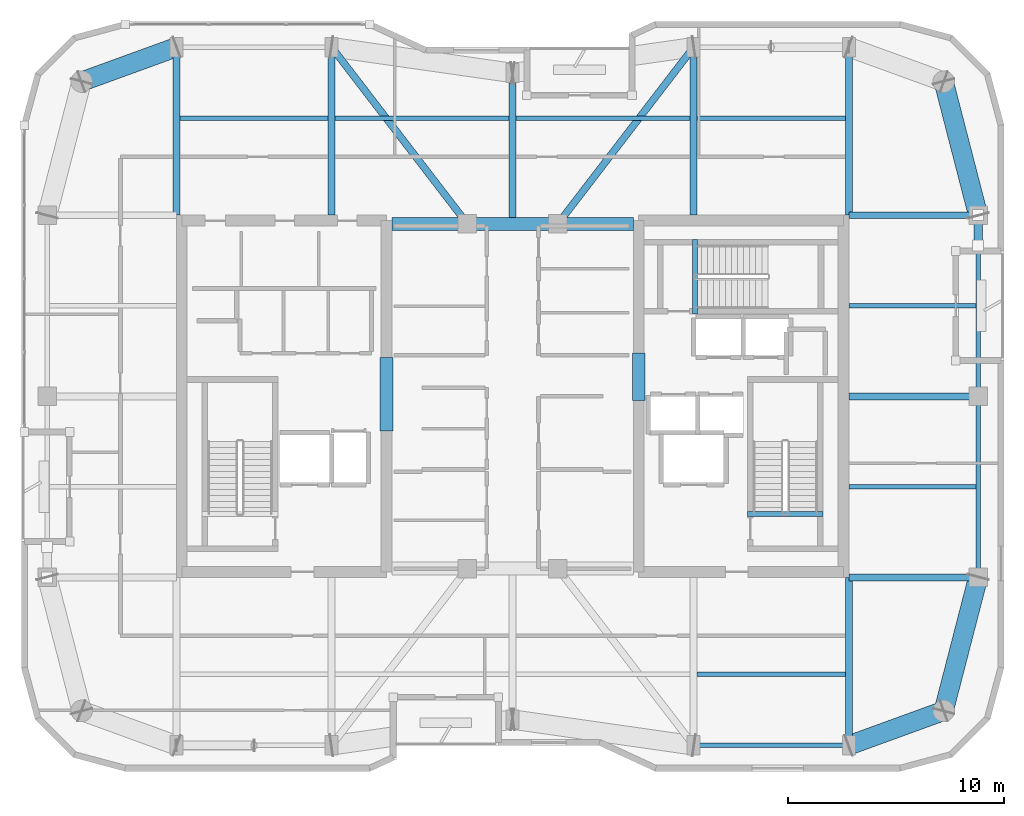
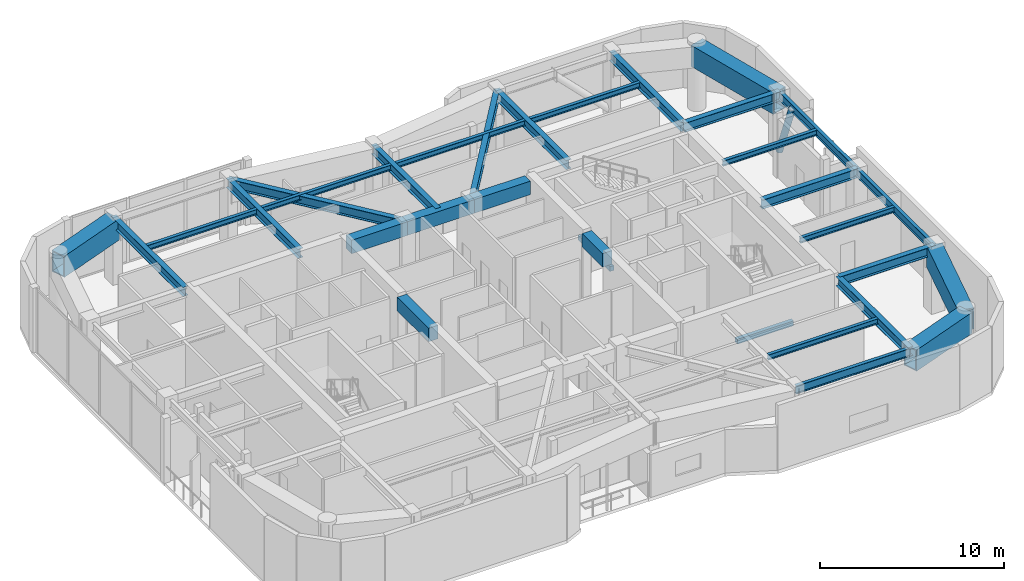
# One storey, part 5 of 15: 32 beams, 1 member.
"""IFC4 building model written with IfcOpenShell, lengths in metres."""

from ifc_helpers import new_model, si_unit, direction, frame, origin, origin_2d, place, context, subcontext, project, spatial, rectangle, hollow_rectangle, hollow_circle, i_section, extrude, material, material_profile, profile_set, type_object, element, save


model = new_model("IFC4")

# Units and contexts
model_context = context("Model", 3, precision=1e-05, world=origin(), true_north=direction((0.0, 1.0)))
body_context = subcontext(model_context, "Body", "Model", "MODEL_VIEW")
ifc_project = project(units=[si_unit("LENGTHUNIT", "METRE"), si_unit("AREAUNIT", "SQUARE_METRE"), si_unit("VOLUMEUNIT", "CUBIC_METRE"), si_unit("PLANEANGLEUNIT", "RADIAN"), si_unit("MASSUNIT", "GRAM", prefix="KILO")], contexts=[model_context])

# Site, building, storey
site_placement = place(None, origin())
site = spatial("IfcSite", under=ifc_project, at=site_placement, CompositionType="ELEMENT")
building_placement = place(site_placement, origin())
building = spatial("IfcBuilding", under=site, at=building_placement, Name="Kiyonajd Concourse Tower", CompositionType="ELEMENT")
storey_placement = place(building_placement, frame((0.0, 0.0, 342.0)))
storey = spatial("IfcBuildingStorey", under=building, at=storey_placement, Name="L86", CompositionType="ELEMENT", Elevation=342.0)

# Beams
ifc_material_1 = material(Name="Concrete C60/75", Category="concrete")
ifc_material_profile_1 = material_profile(ifc_material_1, rectangle(XDim=0.60009765625, YDim=0.89990234375, at=origin_2d()), Name="RCBM-600x900")
ifc_profile_set_1 = profile_set([ifc_material_profile_1], Name="Concrete C60/75")
beam_type_1 = type_object("IfcBeamType", Name="BM-COUP-900", PredefinedType="LINTEL", material=ifc_profile_set_1)
beam_1_placement = place(storey_placement, frame((42.39990234375, 44.0, 3.830078125), z_axis=(1.0, 0.0, 0.0), x_axis=(0.0, 1.0, 0.0)))
element("IfcBeam", 1, at=beam_1_placement, inside=storey, type_object=beam_type_1, Name="L86 Core Coupling Beam N1", PredefinedType="LINTEL", context=body_context, shape_type="SweptSolid", body=[
    extrude(rectangle(XDim=0.60009765625, YDim=0.89990234375, at=origin_2d()), origin(), (0.0, 0.0, 1.0), 3.5),
])
beam_2_placement = place(storey_placement, frame((45.89990234375, 44.0, 3.830078125), z_axis=(1.0, 0.0, 0.0), x_axis=(0.0, 1.0, 0.0)))
element("IfcBeam", 2, at=beam_2_placement, inside=storey, type_object=beam_type_1, Name="L86 Core Coupling Beam N2", PredefinedType="LINTEL", context=body_context, shape_type="SweptSolid", body=[
    extrude(rectangle(XDim=0.60009765625, YDim=0.89990234375, at=origin_2d()), origin(), (0.0, 0.0, 1.0), 4.2001953125),
])
beam_3_placement = place(storey_placement, frame((50.10009765625, 44.0, 3.830078125), z_axis=(1.0, 0.0, 0.0), x_axis=(0.0, 1.0, 0.0)))
element("IfcBeam", 3, at=beam_3_placement, inside=storey, type_object=beam_type_1, Name="L86 Core Coupling Beam N3", PredefinedType="LINTEL", context=body_context, shape_type="SweptSolid", body=[
    extrude(rectangle(XDim=0.60009765625, YDim=0.89990234375, at=origin_2d()), origin(), (0.0, 0.0, 1.0), 3.5),
])
beam_4_placement = place(storey_placement, frame((42.14990234375, 34.39990234375, 3.830078125), z_axis=(0.0, 1.0, 0.0), x_axis=(-1.0, 0.0, 0.0)))
element("IfcBeam", 4, at=beam_4_placement, inside=storey, type_object=beam_type_1, Name="L86 West Core Throat Coupling Lintel", PredefinedType="LINTEL", context=body_context, shape_type="SweptSolid", body=[
    extrude(rectangle(XDim=0.60009765625, YDim=0.89990234375, at=origin_2d()), origin(), (0.0, 0.0, 1.0), 3.400146484375),
])
beam_5_placement = place(storey_placement, frame((53.85009765625, 35.800048828125, 3.830078125), z_axis=(0.0, 1.0, 0.0), x_axis=(-1.0, 0.0, 0.0)))
element("IfcBeam", 5, at=beam_5_placement, inside=storey, type_object=beam_type_1, Name="L86 East Core Throat Coupling Lintel", PredefinedType="LINTEL", context=body_context, shape_type="SweptSolid", body=[
    extrude(rectangle(XDim=0.60009765625, YDim=0.89990234375, at=origin_2d()), origin(), (0.0, 0.0, 1.0), 2.199951171875),
])
ifc_material_2 = material(Name="Steel ASTM A992 Grade 50", Category="steel")
ifc_material_profile_2 = material_profile(ifc_material_2, i_section(OverallWidth=0.205078125, OverallDepth=0.35400390625, WebThickness=0.009521484375, FlangeThickness=0.016845703125, at=origin_2d()), Name="W360X79")
ifc_profile_set_2 = profile_set([ifc_material_profile_2], Name="Steel ASTM A992 Grade 50")
beam_type_2 = type_object("IfcBeamType", Name="BM-JST-360", PredefinedType="JOIST", material=ifc_profile_set_2)
for number, where, z_axis, x_axis, name in (
    (6, (56.56201171875, 23.10009765625, 4.10302734375), (1.0, 0.0, 0.0), (0.0, 1.0, 0.0), "L86 Secondary Floor Joist"),
    (7, (32.56201171875, 48.89990234375, 4.10302734375), (1.0, 0.0, 0.0), (0.0, 1.0, 0.0), "L86 Secondary Floor Joist"),
):
    element("IfcBeam", number, at=place(storey_placement, frame(where, z_axis=z_axis, x_axis=x_axis)), inside=storey, type_object=beam_type_2, Name=name, PredefinedType="JOIST", context=body_context, shape_type="SweptSolid", body=[
        extrude(i_section(OverallWidth=0.205078125, OverallDepth=0.35400390625, WebThickness=0.009521484375, FlangeThickness=0.016845703125, at=origin_2d()), origin(), (0.0, 0.0, 1.0), 6.8759765625),
    ])
for number, where, z_axis, x_axis, name in (
    (8, (39.761962890625, 48.89990234375, 4.10302734375), (1.0, 0.0, 0.0), (0.0, 1.0, 0.0), "L86 Secondary Floor Joist"),
    (9, (48.162109375, 48.89990234375, 4.10302734375), (1.0, 0.0, 0.0), (0.0, 1.0, 0.0), "L86 Secondary Floor Joist"),
):
    element("IfcBeam", number, at=place(storey_placement, frame(where, z_axis=z_axis, x_axis=x_axis)), inside=storey, type_object=beam_type_2, Name=name, PredefinedType="JOIST", context=body_context, shape_type="SweptSolid", body=[
        extrude(i_section(OverallWidth=0.205078125, OverallDepth=0.35400390625, WebThickness=0.009521484375, FlangeThickness=0.016845703125, at=origin_2d()), origin(), (0.0, 0.0, 1.0), 8.075927734375),
    ])
beam_6_placement = place(storey_placement, frame((56.56201171875, 48.89990234375, 4.10302734375), z_axis=(1.0, 0.0, 0.0), x_axis=(0.0, 1.0, 0.0)))
element("IfcBeam", 10, at=beam_6_placement, inside=storey, type_object=beam_type_2, Name="L86 Secondary Floor Joist", PredefinedType="JOIST", context=body_context, shape_type="SweptSolid", body=[
    extrude(i_section(OverallWidth=0.205078125, OverallDepth=0.35400390625, WebThickness=0.009521484375, FlangeThickness=0.016845703125, at=origin_2d()), origin(), (0.0, 0.0, 1.0), 6.8759765625),
])
for number, where, z_axis, x_axis, name in (
    (11, (63.60009765625, 31.800048828125, 4.10302734375), (1.0, 0.0, 0.0), (0.0, 1.0, 0.0), "L86 East Secondary Floor Joist"),
    (12, (63.60009765625, 40.199951171875, 4.10302734375), (1.0, 0.0, 0.0), (0.0, 1.0, 0.0), "L86 East Secondary Floor Joist"),
):
    element("IfcBeam", number, at=place(storey_placement, frame(where, z_axis=z_axis, x_axis=x_axis)), inside=storey, type_object=beam_type_2, Name=name, PredefinedType="JOIST", context=body_context, shape_type="SweptSolid", body=[
        extrude(i_section(OverallWidth=0.205078125, OverallDepth=0.35400390625, WebThickness=0.009521484375, FlangeThickness=0.016845703125, at=origin_2d()), origin(), (0.0, 0.0, 1.0), 5.894287109375),
    ])
ifc_material_3 = material(Name="Concrete C50/60", Category="concrete")
ifc_material_profile_3 = material_profile(ifc_material_3, rectangle(XDim=0.239990234375, YDim=0.320068359375, at=origin_2d()), Name="RCBM-240x320")
ifc_profile_set_3 = profile_set([ifc_material_profile_3], Name="Concrete C50/60")
beam_type_3 = type_object("IfcBeamType", Name="BM-LNT-250", PredefinedType="LINTEL", material=ifc_profile_set_3)
beam_7_placement = place(storey_placement, frame((58.889892578125, 30.530029296875, -0.159912109375), z_axis=(1.0, 0.0, 0.0), x_axis=(0.0, 1.0, 0.0)))
element("IfcBeam", 13, at=beam_7_placement, inside=storey, type_object=beam_type_3, Name="L86 Stair ST2 Threshold Support Beam", PredefinedType="LINTEL", context=body_context, shape_type="SweptSolid", body=[
    extrude(rectangle(XDim=0.239990234375, YDim=0.320068359375, at=origin_2d()), origin(), (0.0, 0.0, 1.0), 3.52001953125),
])
beam_8_placement = place(storey_placement, frame((56.4599609375, 39.820068359375, -0.159912109375), z_axis=(0.0, 1.0, 0.0), x_axis=(-1.0, 0.0, 0.0)))
element("IfcBeam", 14, at=beam_8_placement, inside=storey, type_object=beam_type_3, Name="L86 Stair ST3 Threshold Support Beam", PredefinedType="LINTEL", context=body_context, shape_type="SweptSolid", body=[
    extrude(rectangle(XDim=0.239990234375, YDim=0.320068359375, at=origin_2d()), origin(), (0.0, 0.0, 1.0), 3.4599609375),
])
ifc_material_profile_4 = material_profile(ifc_material_2, i_section(OverallWidth=0.2109375, OverallDepth=0.5390625, WebThickness=0.01171875, FlangeThickness=0.018798828125, at=origin_2d()), Name="W530X109")
ifc_profile_set_4 = profile_set([ifc_material_profile_4], Name="Steel ASTM A992 Grade 50")
beam_type_4 = type_object("IfcBeamType", Name="BM-SPAN-530B", PredefinedType="SPANDREL", material=ifc_profile_set_4)
beam_9_placement = place(storey_placement, frame((56.39990234375, 19.800048828125, 4.010498046875), z_axis=(1.0, 0.0, 0.0), x_axis=(0.0, 1.0, 0.0)))
element("IfcBeam", 15, at=beam_9_placement, inside=storey, type_object=beam_type_4, Name="L86 Perimeter Bundled Tube Spandrel", PredefinedType="SPANDREL", context=body_context, shape_type="SweptSolid", body=[
    extrude(i_section(OverallWidth=0.2109375, OverallDepth=0.5390625, WebThickness=0.01171875, FlangeThickness=0.018798828125, at=origin_2d()), origin(), (0.0, 0.0, 1.0), 7.2001953125),
])
for number, where, z_axis, x_axis, name in (
    (16, (69.60009765625, 27.60009765625, 4.010498046875), (0.0, 1.0, 0.0), (-1.0, 0.0, 0.0), "L86 Perimeter Bundled Tube Spandrel"),
    (17, (69.60009765625, 36.0, 4.010498046875), (0.0, 1.0, 0.0), (-1.0, 0.0, 0.0), "L86 Perimeter Bundled Tube Spandrel"),
):
    element("IfcBeam", number, at=place(storey_placement, frame(where, z_axis=z_axis, x_axis=x_axis)), inside=storey, type_object=beam_type_4, Name=name, PredefinedType="SPANDREL", context=body_context, shape_type="SweptSolid", body=[
        extrude(i_section(OverallWidth=0.2109375, OverallDepth=0.5390625, WebThickness=0.01171875, FlangeThickness=0.018798828125, at=origin_2d()), origin(), (0.0, 0.0, 1.0), 8.39990234375),
    ])
ifc_material_profile_5 = material_profile(ifc_material_2, i_section(OverallWidth=0.326904296875, OverallDepth=0.6220703125, WebThickness=0.015380859375, FlangeThickness=0.0244140625, at=origin_2d()), Name="W610X195")
ifc_profile_set_5 = profile_set([ifc_material_profile_5], Name="Steel ASTM A992 Grade 50")
beam_type_5 = type_object("IfcBeamType", Name="BM-TWR-610A", PredefinedType="BEAM", material=ifc_profile_set_5)
for number, where, z_axis, x_axis, name in (
    (18, (39.60009765625, 52.199951171875, 3.968994140625), (0.609233709922, -0.792990722956, 0.0), (0.792990722956, 0.609233709922, 0.0), "L86 Core Tie Girder"),
    (19, (50.10009765625, 44.0, 3.968994140625), (0.609233709922, 0.792990722956, 0.0), (-0.792990722956, 0.609233709922, 0.0), "L86 Core Tie Girder"),
):
    element("IfcBeam", number, at=place(storey_placement, frame(where, z_axis=z_axis, x_axis=x_axis)), inside=storey, type_object=beam_type_5, Name=name, PredefinedType="BEAM", context=body_context, shape_type="SweptSolid", body=[
        extrude(i_section(OverallWidth=0.326904296875, OverallDepth=0.6220703125, WebThickness=0.015380859375, FlangeThickness=0.0244140625, at=origin_2d()), origin(), (0.0, 0.0, 1.0), 10.340576171875),
    ])
ifc_material_profile_6 = material_profile(ifc_material_2, i_section(OverallWidth=0.323974609375, OverallDepth=0.611083984375, WebThickness=0.0126953125, FlangeThickness=0.01904296875, at=origin_2d()), Name="W610X155")
ifc_profile_set_6 = profile_set([ifc_material_profile_6], Name="Steel ASTM A992 Grade 50")
beam_type_6 = type_object("IfcBeamType", Name="BM-TWR-610B", PredefinedType="BEAM", material=ifc_profile_set_6)
for number, where, z_axis, x_axis, name in (
    (20, (32.39990234375, 44.39990234375, 3.974609375), (0.0, 1.0, 0.0), (-1.0, 0.0, 0.0), "L86 North Lease Girder"),
    (21, (39.60009765625, 44.39990234375, 3.974609375), (0.0, 1.0, 0.0), (-1.0, 0.0, 0.0), "L86 North Lease Girder"),
    (22, (56.39990234375, 44.39990234375, 3.974609375), (0.0, 1.0, 0.0), (-1.0, 0.0, 0.0), "L86 North Lease Girder"),
    (23, (63.60009765625, 19.800048828125, 3.974609375), (0.0, 1.0, 0.0), (-1.0, 0.0, 0.0), "L86 South Lease Girder"),
    (24, (63.60009765625, 44.39990234375, 3.974609375), (0.0, 1.0, 0.0), (-1.0, 0.0, 0.0), "L86 North Lease Girder"),
):
    element("IfcBeam", number, at=place(storey_placement, frame(where, z_axis=z_axis, x_axis=x_axis)), inside=storey, type_object=beam_type_6, Name=name, PredefinedType="BEAM", context=body_context, shape_type="SweptSolid", body=[
        extrude(i_section(OverallWidth=0.323974609375, OverallDepth=0.611083984375, WebThickness=0.0126953125, FlangeThickness=0.01904296875, at=origin_2d()), origin(), (0.0, 0.0, 1.0), 7.800048828125),
    ])
beam_10_placement = place(storey_placement, frame((48.0, 44.0, 3.974609375), z_axis=(0.0, 1.0, 0.0), x_axis=(-1.0, 0.0, 0.0)))
element("IfcBeam", 25, at=beam_10_placement, inside=storey, type_object=beam_type_6, Name="L86 North Ribbon Girder", PredefinedType="BEAM", context=body_context, shape_type="SweptSolid", body=[
    extrude(i_section(OverallWidth=0.323974609375, OverallDepth=0.611083984375, WebThickness=0.0126953125, FlangeThickness=0.01904296875, at=origin_2d()), origin(), (0.0, 0.0, 1.0), 7.0),
])
for number, where, z_axis, x_axis, name in (
    (26, (63.60009765625, 27.60009765625, 3.974609375), (1.0, 0.0, 0.0), (0.0, 1.0, 0.0), "L86 East Lease Girder"),
    (27, (63.60009765625, 36.0, 3.974609375), (1.0, 0.0, 0.0), (0.0, 1.0, 0.0), "L86 East Lease Girder"),
    (28, (63.60009765625, 44.39990234375, 3.974609375), (1.0, 0.0, 0.0), (0.0, 1.0, 0.0), "L86 East Lease Girder"),
):
    element("IfcBeam", number, at=place(storey_placement, frame(where, z_axis=z_axis, x_axis=x_axis)), inside=storey, type_object=beam_type_6, Name=name, PredefinedType="BEAM", context=body_context, shape_type="SweptSolid", body=[
        extrude(i_section(OverallWidth=0.323974609375, OverallDepth=0.611083984375, WebThickness=0.0126953125, FlangeThickness=0.01904296875, at=origin_2d()), origin(), (0.0, 0.0, 1.0), 6.0),
    ])
ifc_material_4 = material(Name="Steel ASTM A572 Grade 50", Category="steel")
ifc_material_profile_7 = material_profile(ifc_material_4, hollow_rectangle(XDim=0.89990234375, YDim=1.39990234375, WallThickness=0.070068359375, at=origin_2d()), Name="BOX-1400x900x70")
ifc_profile_set_7 = profile_set([ifc_material_profile_7], Name="Steel ASTM A572 Grade 50")
beam_type_7 = type_object("IfcBeamType", Name="BM-XFER-1400", PredefinedType="BEAM", material=ifc_profile_set_7)
beam_11_placement = place(storey_placement, frame((63.60009765625, 19.800048828125, 3.580078125), z_axis=(0.939801036019, 0.341722127901, 0.0), x_axis=(-0.341722127901, 0.939801036019, 0.0)))
element("IfcBeam", 29, at=beam_11_placement, inside=storey, type_object=beam_type_7, Name="L86 Perimeter Bundled Tube Spandrel", PredefinedType="BEAM", context=body_context, shape_type="SweptSolid", body=[
    extrude(hollow_rectangle(XDim=0.89990234375, YDim=1.39990234375, WallThickness=0.070068359375, at=origin_2d()), origin(), (0.0, 0.0, 1.0), 4.681640625),
])
for number, where, z_axis, x_axis, name in (
    (30, (68.0, 21.39990234375, 3.580078125), (0.249884937687, 0.968275538221, 0.0), (-0.968275538221, 0.249884937687, 0.0), "L86 Perimeter Bundled Tube Spandrel"),
    (31, (69.60009765625, 44.39990234375, 3.580078125), (-0.249884937687, 0.968275538221, 0.0), (-0.968275538221, -0.249884937687, 0.0), "L86 Perimeter Bundled Tube Spandrel"),
):
    element("IfcBeam", number, at=place(storey_placement, frame(where, z_axis=z_axis, x_axis=x_axis)), inside=storey, type_object=beam_type_7, Name=name, PredefinedType="BEAM", context=body_context, shape_type="SweptSolid", body=[
        extrude(hollow_rectangle(XDim=0.89990234375, YDim=1.39990234375, WallThickness=0.070068359375, at=origin_2d()), origin(), (0.0, 0.0, 1.0), 6.4033203125),
    ])
beam_12_placement = place(storey_placement, frame((32.39990234375, 52.199951171875, 3.580078125), z_axis=(-0.939801036019, -0.341722127901, 0.0), x_axis=(0.341722127901, -0.939801036019, 0.0)))
element("IfcBeam", 32, at=beam_12_placement, inside=storey, type_object=beam_type_7, Name="L86 Perimeter Bundled Tube Spandrel", PredefinedType="BEAM", context=body_context, shape_type="SweptSolid", body=[
    extrude(hollow_rectangle(XDim=0.89990234375, YDim=1.39990234375, WallThickness=0.070068359375, at=origin_2d()), origin(), (0.0, 0.0, 1.0), 4.681640625),
])

# Member
ifc_material_5 = material(Name="Steel ASTM A500 Grade C", Category="steel")
ifc_material_profile_8 = material_profile(ifc_material_5, hollow_circle(Radius=0.202880859375, WallThickness=0.01904296875, at=origin_2d()), Name="CHS-406x19")
ifc_profile_set_8 = profile_set([ifc_material_profile_8], Name="Steel ASTM A500 Grade C")
member_type = type_object("IfcMemberType", Name="MB-PB-HIGH", PredefinedType="BRACE", material=ifc_profile_set_8)
member_placement = place(storey_placement, frame((69.60009765625, 44.39990234375, 0.300048828125), z_axis=(0.0, -0.359828366716, 0.933018513486), x_axis=(1.0, 0.0, 0.0)))
element("IfcMember", 33, at=member_placement, inside=storey, type_object=member_type, Name="L86 Upper Zone Hollow Tube Brace PBE", PredefinedType="BRACE", context=body_context, shape_type="SweptSolid", body=[
    extrude(hollow_circle(Radius=0.202880859375, WallThickness=0.01904296875, at=origin_2d()), origin(), (0.0, 0.0, 1.0), 3.890380859375),
])

save(model, "model.ifc")
